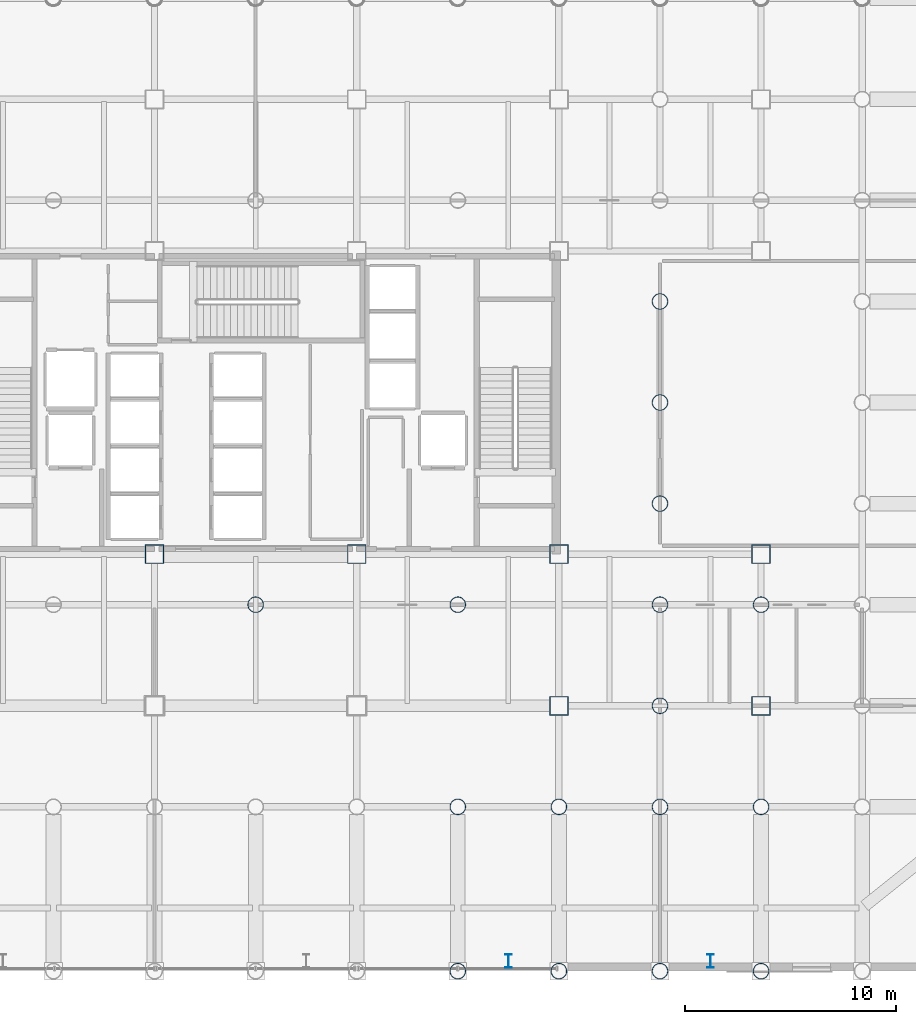
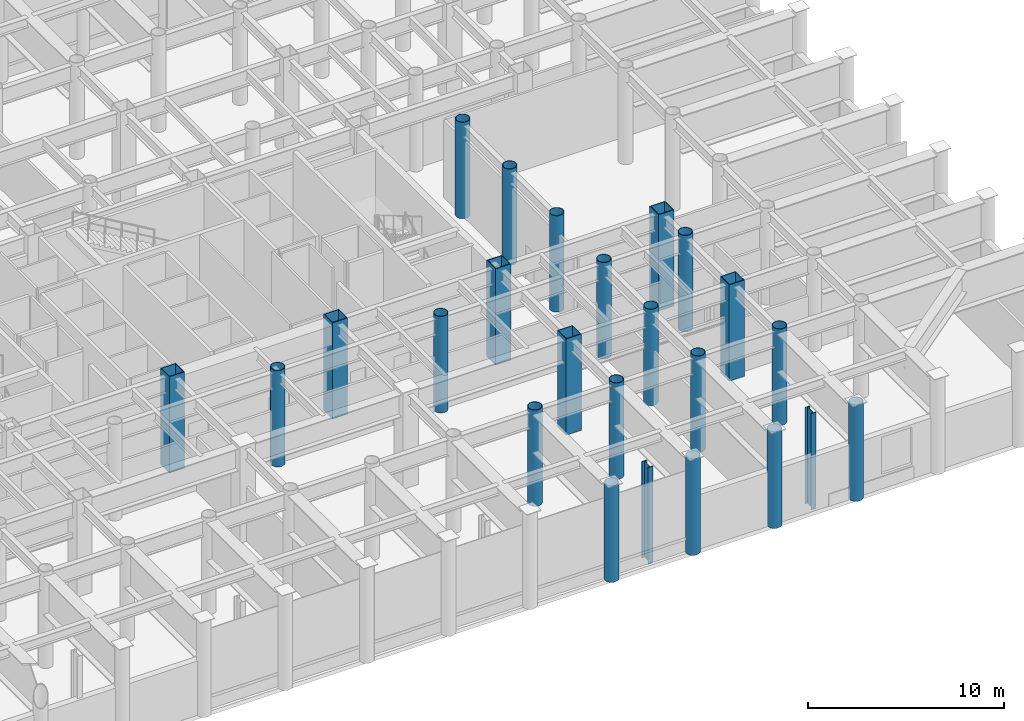
# One storey, part 2 of 26: 24 columns.
"""IFC4 building model written with IfcOpenShell, lengths in metres."""

from ifc_helpers import new_model, si_unit, direction, frame, origin, origin_2d, place, context, subcontext, project, spatial, hollow_rectangle, hollow_circle, i_section, extrude, material, material_profile, profile_set, type_object, element, save


model = new_model("IFC4")

# Units and contexts
model_context = context("Model", 3, precision=1e-05, world=origin(), true_north=direction((0.0, 1.0)))
body_context = subcontext(model_context, "Body", "Model", "MODEL_VIEW")
ifc_project = project(units=[si_unit("LENGTHUNIT", "METRE"), si_unit("AREAUNIT", "SQUARE_METRE"), si_unit("VOLUMEUNIT", "CUBIC_METRE"), si_unit("PLANEANGLEUNIT", "RADIAN"), si_unit("MASSUNIT", "GRAM", prefix="KILO")], contexts=[model_context])

# Site, building, storey
site_placement = place(None, origin())
site = spatial("IfcSite", under=ifc_project, at=site_placement, CompositionType="ELEMENT")
building_placement = place(site_placement, origin())
building = spatial("IfcBuilding", under=site, at=building_placement, Name="Kallvorn Hotel Tower", CompositionType="ELEMENT")
storey_placement = place(building_placement, frame((0.0, 0.0, 6.0)))
storey = spatial("IfcBuildingStorey", under=building, at=storey_placement, Name="L01", CompositionType="ELEMENT", Elevation=6.0)

# Columns
ifc_material_1 = material(Name="Structural steel S355J2H", Category="steel")
ifc_material_profile_1 = material_profile(ifc_material_1, hollow_circle(Radius=0.381103515625, WallThickness=0.031982421875, at=origin_2d()), Name="CHS 762x32")
ifc_profile_set_1 = profile_set([ifc_material_profile_1], Name="Structural steel S355J2H")
column_type_1 = type_object("IfcColumnType", Name="COL_CHS_762", PredefinedType="COLUMN", material=ifc_profile_set_1)
for number, where, z_axis, x_axis, name in (
    (1, (0.0, -9.60009765625, 0.0), (0.0, 0.0, 1.0), (1.0, 0.0, 0.0), "L01 Exoskeleton Column EC56"),
    (2, (9.60009765625, -27.0, 0.0), (0.0, 0.0, 1.0), (1.0, 0.0, 0.0), "L01 Exoskeleton Column EC64"),
    (3, (9.60009765625, -19.199951171875, 0.0), (0.0, 0.0, 1.0), (1.0, 0.0, 0.0), "L01 Exoskeleton Column EC65"),
    (4, (9.60009765625, -9.60009765625, 0.0), (0.0, 0.0, 1.0), (1.0, 0.0, 0.0), "L01 Exoskeleton Column EC66"),
    (5, (14.39990234375, -27.0, 0.0), (0.0, 0.0, 1.0), (1.0, 0.0, 0.0), "L01 Exoskeleton Column EC70"),
    (6, (14.39990234375, -19.199951171875, 0.0), (0.0, 0.0, 1.0), (1.0, 0.0, 0.0), "L01 Exoskeleton Column EC71"),
    (7, (19.199951171875, -27.0, 0.0), (0.0, 0.0, 1.0), (1.0, 0.0, 0.0), "L01 Exoskeleton Column EC74"),
    (8, (19.199951171875, -19.199951171875, 0.0), (0.0, 0.0, 1.0), (1.0, 0.0, 0.0), "L01 Exoskeleton Column EC75"),
    (9, (19.199951171875, -14.39990234375, 0.0), (0.0, 0.0, 1.0), (1.0, 0.0, 0.0), "L01 Exoskeleton Column EC76"),
    (10, (19.199951171875, -9.60009765625, 0.0), (0.0, 0.0, 1.0), (1.0, 0.0, 0.0), "L01 Exoskeleton Column EC77"),
    (11, (19.199951171875, -4.800048828125, 0.0), (0.0, 0.0, 1.0), (1.0, 0.0, 0.0), "L01 Exoskeleton Column EC78"),
    (12, (19.199951171875, 0.0, 0.0), (0.0, 0.0, 1.0), (1.0, 0.0, 0.0), "L01 Exoskeleton Column EC79"),
    (13, (19.199951171875, 4.800048828125, 0.0), (0.0, 0.0, 1.0), (1.0, 0.0, 0.0), "L01 Exoskeleton Column EC80"),
    (14, (24.0, -27.0, 0.0), (0.0, 0.0, 1.0), (1.0, 0.0, 0.0), "L01 Exoskeleton Column EC85"),
    (15, (24.0, -19.199951171875, 0.0), (0.0, 0.0, 1.0), (1.0, 0.0, 0.0), "L01 Exoskeleton Column EC86"),
    (16, (24.0, -9.60009765625, 0.0), (0.0, 0.0, 1.0), (1.0, 0.0, 0.0), "L01 Exoskeleton Column EC87"),
):
    element("IfcColumn", number, at=place(storey_placement, frame(where, z_axis=z_axis, x_axis=x_axis)), inside=storey, type_object=column_type_1, Name=name, PredefinedType="COLUMN", context=body_context, shape_type="SweptSolid", body=[
        extrude(hollow_circle(Radius=0.381103515625, WallThickness=0.031982421875, at=origin_2d()), origin(), (0.0, 0.0, 1.0), 6.0),
    ])
ifc_material_2 = material(Name="Structural steel S355J2H", Category="steel")
ifc_material_profile_2 = material_profile(ifc_material_2, hollow_rectangle(XDim=0.89990234375, YDim=0.89990234375, WallThickness=0.0400390625, at=origin_2d()), Name="RHS 900x900x40")
ifc_profile_set_2 = profile_set([ifc_material_profile_2], Name="Structural steel S355J2H")
column_type_2 = type_object("IfcColumnType", Name="COL_RHS_900", PredefinedType="COLUMN", material=ifc_profile_set_2)
for number, where, z_axis, x_axis, name in (
    (17, (-4.800048828125, -7.199951171875, 0.0), (0.0, 0.0, 1.0), (1.0, 0.0, 0.0), "L01 Inner Column IC10"),
    (18, (4.800048828125, -7.199951171875, 0.0), (0.0, 0.0, 1.0), (1.0, 0.0, 0.0), "L01 Inner Column IC14"),
    (19, (14.39990234375, -14.39990234375, 0.0), (0.0, 0.0, 1.0), (1.0, 0.0, 0.0), "L01 Inner Column IC17"),
    (20, (14.39990234375, -7.199951171875, 0.0), (0.0, 0.0, 1.0), (1.0, 0.0, 0.0), "L01 Inner Column IC18"),
    (21, (24.0, -14.39990234375, 0.0), (0.0, 0.0, 1.0), (1.0, 0.0, 0.0), "L01 Inner Column IC21"),
    (22, (24.0, -7.199951171875, 0.0), (0.0, 0.0, 1.0), (1.0, 0.0, 0.0), "L01 Inner Column IC22"),
):
    element("IfcColumn", number, at=place(storey_placement, frame(where, z_axis=z_axis, x_axis=x_axis)), inside=storey, type_object=column_type_2, Name=name, PredefinedType="COLUMN", context=body_context, shape_type="SweptSolid", body=[
        extrude(hollow_rectangle(XDim=0.89990234375, YDim=0.89990234375, WallThickness=0.0400390625, at=origin_2d()), origin(), (0.0, 0.0, 1.0), 6.0),
    ])
ifc_material_3 = material(Name="Structural steel S355JR", Category="steel")
ifc_material_profile_3 = material_profile(ifc_material_3, i_section(OverallWidth=0.300048828125, OverallDepth=0.64990234375, WebThickness=0.01611328125, FlangeThickness=0.031005859375, at=origin_2d()), Name="HE 650 B")
ifc_profile_set_3 = profile_set([ifc_material_profile_3], Name="Structural steel S355JR")
column_type_3 = type_object("IfcColumnType", Name="PILASTER_HE650B", PredefinedType="PILASTER", material=ifc_profile_set_3)
for number, where, z_axis, x_axis, name in (
    (23, (12.0, -26.52001953125, 0.0), (0.0, 0.0, 1.0), (1.0, 0.0, 0.0), "L01 Chicago Colonnade Pilaster 04"),
    (24, (21.60009765625, -26.52001953125, 0.0), (0.0, 0.0, 1.0), (1.0, 0.0, 0.0), "L01 Chicago Colonnade Pilaster 05"),
):
    element("IfcColumn", number, at=place(storey_placement, frame(where, z_axis=z_axis, x_axis=x_axis)), inside=storey, type_object=column_type_3, Name=name, PredefinedType="PILASTER", context=body_context, shape_type="SweptSolid", body=[
        extrude(i_section(OverallWidth=0.300048828125, OverallDepth=0.64990234375, WebThickness=0.01611328125, FlangeThickness=0.031005859375, at=origin_2d()), origin(), (0.0, 0.0, 1.0), 6.0),
    ])

save(model, "model.ifc")
